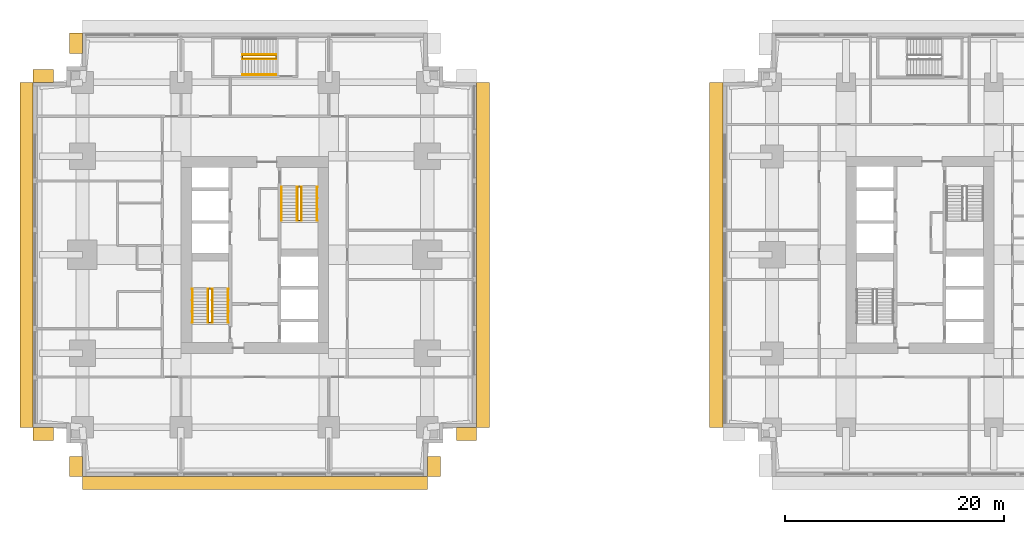
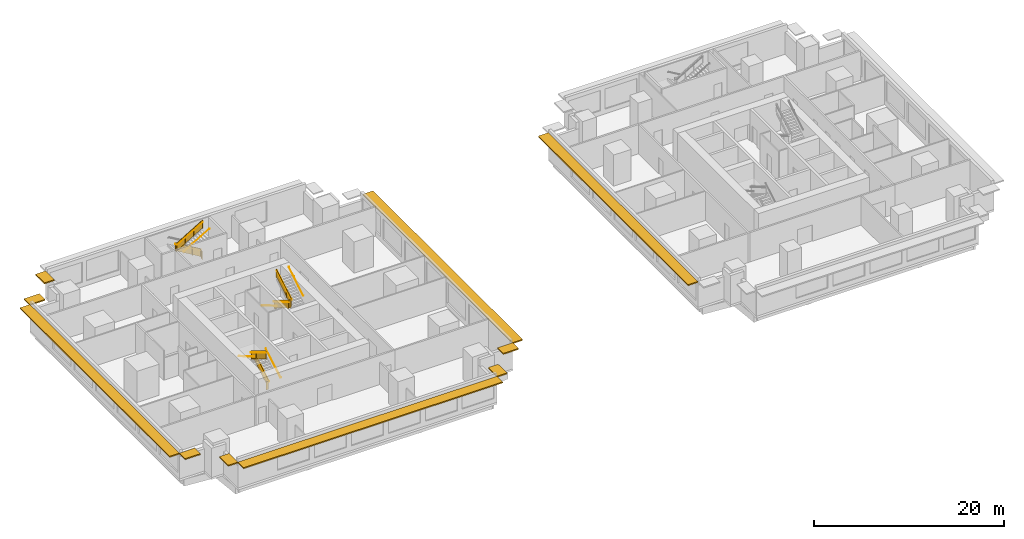
# One storey, part 9 of 11: 14 railings, 10 shading devices.
"""IFC4 building model written with IfcOpenShell, lengths in metres."""

from ifc_helpers import new_model, si_unit, direction, frame, origin, origin_2d, place, context, subcontext, project, spatial, polyline, rectangle, circle, outline, extrude, material, layer, layer_set, type_object, element, save


model = new_model("IFC4")

# Units and contexts
model_context = context("Model", 3, precision=1e-05, world=origin(), true_north=direction((0.0, 1.0)))
body_context = subcontext(model_context, "Body", "Model", "MODEL_VIEW")
ifc_project = project(units=[si_unit("LENGTHUNIT", "METRE"), si_unit("AREAUNIT", "SQUARE_METRE"), si_unit("VOLUMEUNIT", "CUBIC_METRE"), si_unit("PLANEANGLEUNIT", "RADIAN"), si_unit("MASSUNIT", "GRAM", prefix="KILO")], contexts=[model_context])

# Site, building, storey
site_placement = place(None, origin())
site = spatial("IfcSite", under=ifc_project, at=site_placement, CompositionType="ELEMENT")
building_placement = place(site_placement, origin())
building = spatial("IfcBuilding", under=site, at=building_placement, Name="Namib Vertical Campus", CompositionType="ELEMENT")
storey_placement = place(building_placement, frame((0.0, 0.0, 53.0)))
storey = spatial("IfcBuildingStorey", under=building, at=storey_placement, Name="L12", CompositionType="ELEMENT", Elevation=53.0)

# Railings
ifc_material_1 = material(Name="Steel handrail", Category="steel")
railing_type_1 = type_object("IfcRailingType", Name="Handrail 900", PredefinedType="HANDRAIL", material=ifc_material_1)
railing_1_placement = place(storey_placement, frame((17.800048828125, 14.050048828125, 0.166748046875)))
element("IfcRailing", 1, at=railing_1_placement, inside=storey, type_object=railing_type_1, Name="Handrail HR1 A-S1 L12 1", PredefinedType="HANDRAIL", context=body_context, shape_type="SweptSolid", body=[
    extrude(circle(Radius=0.02392578125, at=origin_2d()), frame((0.0, 0.0, 0.8759765625), z_axis=(0.0, 0.859290745958, 0.51148745235), x_axis=(-1.0, 0.0, 0.0)), (0.0, 0.0, 1.0), 3.584228515625),
    extrude(circle(Radius=0.008056640625, at=origin_2d()), frame((0.0, 0.0, 0.8759765625), z_axis=(1.0, 0.0, 0.0), x_axis=(0.0, 0.0, 1.0)), (0.0, 0.0, 1.0), 0.050048828125),
    extrude(circle(Radius=0.008056640625, at=origin_2d()), frame((0.0, 1.026611328125, 1.48681640625), z_axis=(1.0, 0.0, 0.0), x_axis=(0.0, 0.0, 1.0)), (0.0, 0.0, 1.0), 0.050048828125),
    extrude(circle(Radius=0.008056640625, at=origin_2d()), frame((0.0, 2.05322265625, 2.09814453125), z_axis=(1.0, 0.0, 0.0), x_axis=(0.0, 0.0, 1.0)), (0.0, 0.0, 1.0), 0.050048828125),
    extrude(circle(Radius=0.008056640625, at=origin_2d()), frame((0.0, 3.079833984375, 2.708984375), z_axis=(1.0, 0.0, 0.0), x_axis=(0.0, 0.0, 1.0)), (0.0, 0.0, 1.0), 0.050048828125),
])
railing_2_placement = place(storey_placement, frame((14.550048828125, 17.1298828125, 2.166748046875)))
element("IfcRailing", 2, at=railing_2_placement, inside=storey, type_object=railing_type_1, Name="Handrail HR1 A-S1 L12 2", PredefinedType="HANDRAIL", context=body_context, shape_type="SweptSolid", body=[
    extrude(circle(Radius=0.02392578125, at=origin_2d()), frame((0.0, 0.0, 0.8759765625), z_axis=(0.0, -0.859290745958, 0.51148745235), x_axis=(1.0, 0.0, 0.0)), (0.0, 0.0, 1.0), 3.584228515625),
    extrude(circle(Radius=0.008056640625, at=origin_2d()), frame((0.0, 0.0, 0.8759765625), z_axis=(-1.0, 0.0, 0.0), x_axis=(0.0, 0.0, 1.0)), (0.0, 0.0, 1.0), 0.050048828125),
    extrude(circle(Radius=0.008056640625, at=origin_2d()), frame((0.0, -1.026611328125, 1.48681640625), z_axis=(-1.0, 0.0, 0.0), x_axis=(0.0, 0.0, 1.0)), (0.0, 0.0, 1.0), 0.050048828125),
    extrude(circle(Radius=0.008056640625, at=origin_2d()), frame((0.0, -2.05322265625, 2.09814453125), z_axis=(-1.0, 0.0, 0.0), x_axis=(0.0, 0.0, 1.0)), (0.0, 0.0, 1.0), 0.050048828125),
    extrude(circle(Radius=0.008056640625, at=origin_2d()), frame((0.0, -3.079833984375, 2.708984375), z_axis=(-1.0, 0.0, 0.0), x_axis=(0.0, 0.0, 1.0)), (0.0, 0.0, 1.0), 0.050048828125),
])
railing_3_placement = place(storey_placement, frame((16.375, 14.050048828125, 0.166748046875)))
element("IfcRailing", 3, at=railing_3_placement, inside=storey, type_object=railing_type_1, Name="Handrail HR1 A-S1 L12 1 at the well", PredefinedType="HANDRAIL", context=body_context, shape_type="SweptSolid", body=[
    extrude(circle(Radius=0.02392578125, at=origin_2d()), frame((0.0, 0.0, 0.8759765625), z_axis=(0.0, 0.859290745958, 0.51148745235), x_axis=(-1.0, 0.0, 0.0)), (0.0, 0.0, 1.0), 3.584228515625),
    extrude(circle(Radius=0.008056640625, at=origin_2d()), frame((0.0, 0.0, 0.8759765625), z_axis=(-1.0, 0.0, 0.0), x_axis=(0.0, 0.0, 1.0)), (0.0, 0.0, 1.0), 0.0400390625),
    extrude(circle(Radius=0.008056640625, at=origin_2d()), frame((0.0, 1.026611328125, 1.48681640625), z_axis=(-1.0, 0.0, 0.0), x_axis=(0.0, 0.0, 1.0)), (0.0, 0.0, 1.0), 0.0400390625),
    extrude(circle(Radius=0.008056640625, at=origin_2d()), frame((0.0, 2.05322265625, 2.09814453125), z_axis=(-1.0, 0.0, 0.0), x_axis=(0.0, 0.0, 1.0)), (0.0, 0.0, 1.0), 0.0400390625),
    extrude(circle(Radius=0.008056640625, at=origin_2d()), frame((0.0, 3.079833984375, 2.708984375), z_axis=(-1.0, 0.0, 0.0), x_axis=(0.0, 0.0, 1.0)), (0.0, 0.0, 1.0), 0.0400390625),
])
railing_4_placement = place(storey_placement, frame((15.97509765625, 17.1298828125, 2.166748046875)))
element("IfcRailing", 4, at=railing_4_placement, inside=storey, type_object=railing_type_1, Name="Handrail HR1 A-S1 L12 2 at the well", PredefinedType="HANDRAIL", context=body_context, shape_type="SweptSolid", body=[
    extrude(circle(Radius=0.02392578125, at=origin_2d()), frame((0.0, 0.0, 0.8759765625), z_axis=(0.0, -0.859290745958, 0.51148745235), x_axis=(1.0, 0.0, 0.0)), (0.0, 0.0, 1.0), 3.584228515625),
    extrude(circle(Radius=0.008056640625, at=origin_2d()), frame((0.0, 0.0, 0.8759765625), z_axis=(1.0, 0.0, 0.0), x_axis=(0.0, 0.0, 1.0)), (0.0, 0.0, 1.0), 0.0400390625),
    extrude(circle(Radius=0.008056640625, at=origin_2d()), frame((0.0, -1.026611328125, 1.48681640625), z_axis=(1.0, 0.0, 0.0), x_axis=(0.0, 0.0, 1.0)), (0.0, 0.0, 1.0), 0.0400390625),
    extrude(circle(Radius=0.008056640625, at=origin_2d()), frame((0.0, -2.05322265625, 2.09814453125), z_axis=(1.0, 0.0, 0.0), x_axis=(0.0, 0.0, 1.0)), (0.0, 0.0, 1.0), 0.0400390625),
    extrude(circle(Radius=0.008056640625, at=origin_2d()), frame((0.0, -3.079833984375, 2.708984375), z_axis=(1.0, 0.0, 0.0), x_axis=(0.0, 0.0, 1.0)), (0.0, 0.0, 1.0), 0.0400390625),
])
railing_5_placement = place(storey_placement, frame((22.699951171875, 26.449951171875, 0.166748046875)))
element("IfcRailing", 5, at=railing_5_placement, inside=storey, type_object=railing_type_1, Name="Handrail HR1 A-S2 L12 1", PredefinedType="HANDRAIL", context=body_context, shape_type="SweptSolid", body=[
    extrude(circle(Radius=0.02392578125, at=origin_2d()), frame((0.0, 0.0, 0.8759765625), z_axis=(0.0, -0.859290745958, 0.51148745235), x_axis=(1.0, 0.0, 0.0)), (0.0, 0.0, 1.0), 3.584228515625),
    extrude(circle(Radius=0.008056640625, at=origin_2d()), frame((0.0, 0.0, 0.8759765625), z_axis=(-1.0, 0.0, 0.0), x_axis=(0.0, 0.0, 1.0)), (0.0, 0.0, 1.0), 0.050048828125),
    extrude(circle(Radius=0.008056640625, at=origin_2d()), frame((0.0, -1.026611328125, 1.48681640625), z_axis=(-1.0, 0.0, 0.0), x_axis=(0.0, 0.0, 1.0)), (0.0, 0.0, 1.0), 0.050048828125),
    extrude(circle(Radius=0.008056640625, at=origin_2d()), frame((0.0, -2.05322265625, 2.09814453125), z_axis=(-1.0, 0.0, 0.0), x_axis=(0.0, 0.0, 1.0)), (0.0, 0.0, 1.0), 0.050048828125),
    extrude(circle(Radius=0.008056640625, at=origin_2d()), frame((0.0, -3.079833984375, 2.708984375), z_axis=(-1.0, 0.0, 0.0), x_axis=(0.0, 0.0, 1.0)), (0.0, 0.0, 1.0), 0.050048828125),
])
railing_6_placement = place(storey_placement, frame((25.949951171875, 23.3701171875, 2.166748046875)))
element("IfcRailing", 6, at=railing_6_placement, inside=storey, type_object=railing_type_1, Name="Handrail HR1 A-S2 L12 2", PredefinedType="HANDRAIL", context=body_context, shape_type="SweptSolid", body=[
    extrude(circle(Radius=0.02392578125, at=origin_2d()), frame((0.0, 0.0, 0.8759765625), z_axis=(0.0, 0.859290745958, 0.51148745235), x_axis=(-1.0, 0.0, 0.0)), (0.0, 0.0, 1.0), 3.584228515625),
    extrude(circle(Radius=0.008056640625, at=origin_2d()), frame((0.0, 0.0, 0.8759765625), z_axis=(1.0, 0.0, 0.0), x_axis=(0.0, 0.0, 1.0)), (0.0, 0.0, 1.0), 0.050048828125),
    extrude(circle(Radius=0.008056640625, at=origin_2d()), frame((0.0, 1.026611328125, 1.48681640625), z_axis=(1.0, 0.0, 0.0), x_axis=(0.0, 0.0, 1.0)), (0.0, 0.0, 1.0), 0.050048828125),
    extrude(circle(Radius=0.008056640625, at=origin_2d()), frame((0.0, 2.05322265625, 2.09814453125), z_axis=(1.0, 0.0, 0.0), x_axis=(0.0, 0.0, 1.0)), (0.0, 0.0, 1.0), 0.050048828125),
    extrude(circle(Radius=0.008056640625, at=origin_2d()), frame((0.0, 3.079833984375, 2.708984375), z_axis=(1.0, 0.0, 0.0), x_axis=(0.0, 0.0, 1.0)), (0.0, 0.0, 1.0), 0.050048828125),
])
railing_7_placement = place(storey_placement, frame((24.125, 26.449951171875, 0.166748046875)))
element("IfcRailing", 7, at=railing_7_placement, inside=storey, type_object=railing_type_1, Name="Handrail HR1 A-S2 L12 1 at the well", PredefinedType="HANDRAIL", context=body_context, shape_type="SweptSolid", body=[
    extrude(circle(Radius=0.02392578125, at=origin_2d()), frame((0.0, 0.0, 0.8759765625), z_axis=(0.0, -0.859290745958, 0.51148745235), x_axis=(1.0, 0.0, 0.0)), (0.0, 0.0, 1.0), 3.584228515625),
    extrude(circle(Radius=0.008056640625, at=origin_2d()), frame((0.0, 0.0, 0.8759765625), z_axis=(1.0, 0.0, 0.0), x_axis=(0.0, 0.0, 1.0)), (0.0, 0.0, 1.0), 0.0400390625),
    extrude(circle(Radius=0.008056640625, at=origin_2d()), frame((0.0, -1.026611328125, 1.48681640625), z_axis=(1.0, 0.0, 0.0), x_axis=(0.0, 0.0, 1.0)), (0.0, 0.0, 1.0), 0.0400390625),
    extrude(circle(Radius=0.008056640625, at=origin_2d()), frame((0.0, -2.05322265625, 2.09814453125), z_axis=(1.0, 0.0, 0.0), x_axis=(0.0, 0.0, 1.0)), (0.0, 0.0, 1.0), 0.0400390625),
    extrude(circle(Radius=0.008056640625, at=origin_2d()), frame((0.0, -3.079833984375, 2.708984375), z_axis=(1.0, 0.0, 0.0), x_axis=(0.0, 0.0, 1.0)), (0.0, 0.0, 1.0), 0.0400390625),
])
railing_8_placement = place(storey_placement, frame((24.52490234375, 23.3701171875, 2.166748046875)))
element("IfcRailing", 8, at=railing_8_placement, inside=storey, type_object=railing_type_1, Name="Handrail HR1 A-S2 L12 2 at the well", PredefinedType="HANDRAIL", context=body_context, shape_type="SweptSolid", body=[
    extrude(circle(Radius=0.02392578125, at=origin_2d()), frame((0.0, 0.0, 0.8759765625), z_axis=(0.0, 0.859290745958, 0.51148745235), x_axis=(-1.0, 0.0, 0.0)), (0.0, 0.0, 1.0), 3.584228515625),
    extrude(circle(Radius=0.008056640625, at=origin_2d()), frame((0.0, 0.0, 0.8759765625), z_axis=(-1.0, 0.0, 0.0), x_axis=(0.0, 0.0, 1.0)), (0.0, 0.0, 1.0), 0.0400390625),
    extrude(circle(Radius=0.008056640625, at=origin_2d()), frame((0.0, 1.026611328125, 1.48681640625), z_axis=(-1.0, 0.0, 0.0), x_axis=(0.0, 0.0, 1.0)), (0.0, 0.0, 1.0), 0.0400390625),
    extrude(circle(Radius=0.008056640625, at=origin_2d()), frame((0.0, 2.05322265625, 2.09814453125), z_axis=(-1.0, 0.0, 0.0), x_axis=(0.0, 0.0, 1.0)), (0.0, 0.0, 1.0), 0.0400390625),
    extrude(circle(Radius=0.008056640625, at=origin_2d()), frame((0.0, 3.079833984375, 2.708984375), z_axis=(-1.0, 0.0, 0.0), x_axis=(0.0, 0.0, 1.0)), (0.0, 0.0, 1.0), 0.0400390625),
])
railing_9_placement = place(storey_placement, frame((19.1201171875, 36.699951171875, 2.166748046875)))
element("IfcRailing", 9, at=railing_9_placement, inside=storey, type_object=railing_type_1, Name="Handrail HR1 A-S3 L12 2", PredefinedType="HANDRAIL", context=body_context, shape_type="SweptSolid", body=[
    extrude(circle(Radius=0.02392578125, at=origin_2d()), frame((0.0, 0.0, 0.8759765625), z_axis=(0.859290745958, 0.0, 0.51148745235), x_axis=(0.0, 1.0, 0.0)), (0.0, 0.0, 1.0), 3.584228515625),
    extrude(circle(Radius=0.008056640625, at=origin_2d()), frame((0.0, 0.0, 0.8759765625), z_axis=(0.0, -1.0, 0.0), x_axis=(0.0, 0.0, 1.0)), (0.0, 0.0, 1.0), 0.050048828125),
    extrude(circle(Radius=0.008056640625, at=origin_2d()), frame((1.026611328125, 0.0, 1.48681640625), z_axis=(0.0, -1.0, 0.0), x_axis=(0.0, 0.0, 1.0)), (0.0, 0.0, 1.0), 0.050048828125),
    extrude(circle(Radius=0.008056640625, at=origin_2d()), frame((2.05322265625, 0.0, 2.09814453125), z_axis=(0.0, -1.0, 0.0), x_axis=(0.0, 0.0, 1.0)), (0.0, 0.0, 1.0), 0.050048828125),
    extrude(circle(Radius=0.008056640625, at=origin_2d()), frame((3.079833984375, 0.0, 2.708984375), z_axis=(0.0, -1.0, 0.0), x_axis=(0.0, 0.0, 1.0)), (0.0, 0.0, 1.0), 0.050048828125),
])
railing_10_placement = place(storey_placement, frame((22.199951171875, 38.52490234375, 0.166748046875)))
element("IfcRailing", 10, at=railing_10_placement, inside=storey, type_object=railing_type_1, Name="Handrail HR1 A-S3 L12 1 at the well", PredefinedType="HANDRAIL", context=body_context, shape_type="SweptSolid", body=[
    extrude(circle(Radius=0.02392578125, at=origin_2d()), frame((0.0, 0.0, 0.8759765625), z_axis=(-0.859290745958, 0.0, 0.51148745235), x_axis=(0.0, -1.0, 0.0)), (0.0, 0.0, 1.0), 3.584228515625),
    extrude(circle(Radius=0.008056640625, at=origin_2d()), frame((0.0, 0.0, 0.8759765625), z_axis=(0.0, -1.0, 0.0), x_axis=(0.0, 0.0, 1.0)), (0.0, 0.0, 1.0), 0.0400390625),
    extrude(circle(Radius=0.008056640625, at=origin_2d()), frame((-1.026611328125, 0.0, 1.48681640625), z_axis=(0.0, -1.0, 0.0), x_axis=(0.0, 0.0, 1.0)), (0.0, 0.0, 1.0), 0.0400390625),
    extrude(circle(Radius=0.008056640625, at=origin_2d()), frame((-2.05322265625, 0.0, 2.09814453125), z_axis=(0.0, -1.0, 0.0), x_axis=(0.0, 0.0, 1.0)), (0.0, 0.0, 1.0), 0.0400390625),
    extrude(circle(Radius=0.008056640625, at=origin_2d()), frame((-3.079833984375, 0.0, 2.708984375), z_axis=(0.0, -1.0, 0.0), x_axis=(0.0, 0.0, 1.0)), (0.0, 0.0, 1.0), 0.0400390625),
])
railing_11_placement = place(storey_placement, frame((19.1201171875, 38.125, 2.166748046875)))
element("IfcRailing", 11, at=railing_11_placement, inside=storey, type_object=railing_type_1, Name="Handrail HR1 A-S3 L12 2 at the well", PredefinedType="HANDRAIL", context=body_context, shape_type="SweptSolid", body=[
    extrude(circle(Radius=0.02392578125, at=origin_2d()), frame((0.0, 0.0, 0.8759765625), z_axis=(0.859290745958, 0.0, 0.51148745235), x_axis=(0.0, 1.0, 0.0)), (0.0, 0.0, 1.0), 3.584228515625),
    extrude(circle(Radius=0.008056640625, at=origin_2d()), frame((0.0, 0.0, 0.8759765625), z_axis=(0.0, 1.0, 0.0), x_axis=(0.0, 0.0, 1.0)), (0.0, 0.0, 1.0), 0.0400390625),
    extrude(circle(Radius=0.008056640625, at=origin_2d()), frame((1.026611328125, 0.0, 1.48681640625), z_axis=(0.0, 1.0, 0.0), x_axis=(0.0, 0.0, 1.0)), (0.0, 0.0, 1.0), 0.0400390625),
    extrude(circle(Radius=0.008056640625, at=origin_2d()), frame((2.05322265625, 0.0, 2.09814453125), z_axis=(0.0, 1.0, 0.0), x_axis=(0.0, 0.0, 1.0)), (0.0, 0.0, 1.0), 0.0400390625),
    extrude(circle(Radius=0.008056640625, at=origin_2d()), frame((3.079833984375, 0.0, 2.708984375), z_axis=(0.0, 1.0, 0.0), x_axis=(0.0, 0.0, 1.0)), (0.0, 0.0, 1.0), 0.0400390625),
])
ifc_material_2 = material(Name="Steel balustrade", Category="steel")
railing_type_2 = type_object("IfcRailingType", Name="Stair guard 1100", PredefinedType="GUARDRAIL", material=ifc_material_2)
railing_12_placement = place(storey_placement, frame((16.02490234375, 14.050048828125, 0.0)))
element("IfcRailing", 12, at=railing_12_placement, inside=storey, type_object=railing_type_2, Name="Stair guard GR1 A-S1 L12", PredefinedType="GUARDRAIL", context=body_context, shape_type="SweptSolid", body=[
    extrude(circle(Radius=0.02392578125, at=origin_2d()), frame((0.0, 0.0, 1.076171875), z_axis=(1.0, 0.0, 0.0), x_axis=(0.0, 1.0, 0.0)), (0.0, 0.0, 1.0), 0.300048828125),
    extrude(outline(polyline([(0.02099609375, 0.050048828125), (0.279052734375, 0.050048828125), (0.279052734375, 1.052001953125), (0.02099609375, 1.052001953125), (0.02099609375, 0.050048828125)])), frame((0.0, 0.010009765625, 0.0), z_axis=(0.0, -1.0, 0.0), x_axis=(1.0, 0.0, 0.0)), (0.0, 0.0, 1.0), 0.02001953125),
    extrude(circle(Radius=0.02392578125, at=origin_2d()), frame((0.300048828125, 0.0, 1.076171875), z_axis=(0.0, 0.0, 1.0), x_axis=(1.0, 0.0, 0.0)), (0.0, 0.0, 1.0), 0.166748046875),
    extrude(circle(Radius=0.02392578125, at=origin_2d()), frame((0.300048828125, 0.0, 1.24267578125), z_axis=(0.0, 0.859290745958, 0.51148745235), x_axis=(-1.0, 0.0, 0.0)), (0.0, 0.0, 1.0), 3.584228515625),
    extrude(outline(polyline([(0.02099609375, 0.0625), (3.058837890625, 1.870849609375), (3.058837890625, 2.872802734375), (0.02099609375, 1.064453125), (0.02099609375, 0.0625)])), frame((0.2900390625, 0.0, 0.166748046875), z_axis=(1.0, 0.0, 0.0), x_axis=(0.0, 1.0, 0.0)), (0.0, 0.0, 1.0), 0.02001953125),
    extrude(circle(Radius=0.02392578125, at=origin_2d()), frame((0.300048828125, 3.079833984375, 3.076171875), z_axis=(-1.0, 0.0, 0.0), x_axis=(0.0, -1.0, 0.0)), (0.0, 0.0, 1.0), 0.300048828125),
    extrude(outline(polyline([(0.02099609375, 0.050048828125), (0.279052734375, 0.050048828125), (0.279052734375, 1.052001953125), (0.02099609375, 1.052001953125), (0.02099609375, 0.050048828125)])), frame((0.300048828125, 3.06982421875, 2.0), z_axis=(0.0, 1.0, 0.0), x_axis=(-1.0, 0.0, 0.0)), (0.0, 0.0, 1.0), 0.02001953125),
    extrude(circle(Radius=0.02392578125, at=origin_2d()), frame((0.0, 3.079833984375, 3.076171875), z_axis=(0.0, 0.0, 1.0), x_axis=(1.0, 0.0, 0.0)), (0.0, 0.0, 1.0), 0.166748046875),
    extrude(circle(Radius=0.02392578125, at=origin_2d()), frame((0.0, 3.079833984375, 3.24267578125), z_axis=(0.0, -0.859290745958, 0.51148745235), x_axis=(1.0, 0.0, 0.0)), (0.0, 0.0, 1.0), 3.584228515625),
    extrude(outline(polyline([(0.02099609375, 0.0625), (3.058837890625, 1.870849609375), (3.058837890625, 2.872802734375), (0.02099609375, 1.064453125), (0.02099609375, 0.0625)])), frame((0.010009765625, 3.079833984375, 2.166748046875), z_axis=(-1.0, 0.0, 0.0), x_axis=(0.0, -1.0, 0.0)), (0.0, 0.0, 1.0), 0.02001953125),
    extrude(circle(Radius=0.02392578125, at=origin_2d()), frame((0.0, 0.0, 5.076171875), z_axis=(0.0, -1.0, 0.0), x_axis=(1.0, 0.0, 0.0)), (0.0, 0.0, 1.0), 0.050048828125),
    extrude(outline(polyline([(0.02099609375, 0.050048828125), (0.029052734375, 0.050048828125), (0.029052734375, 1.052001953125), (0.02099609375, 1.052001953125), (0.02099609375, 0.050048828125)])), frame((0.010009765625, 0.0, 4.0), z_axis=(-1.0, 0.0, 0.0), x_axis=(0.0, -1.0, 0.0)), (0.0, 0.0, 1.0), 0.02001953125),
    extrude(circle(Radius=0.02099609375, at=origin_2d()), origin(), (0.0, 0.0, 1.0), 1.052001953125),
    extrude(circle(Radius=0.02099609375, at=origin_2d()), frame((0.300048828125, 0.0, 0.166748046875)), (0.0, 0.0, 1.0), 1.052001953125),
    extrude(circle(Radius=0.02099609375, at=origin_2d()), frame((0.300048828125, 1.026611328125, 0.666748046875)), (0.0, 0.0, 1.0), 1.1630859375),
    extrude(circle(Radius=0.02099609375, at=origin_2d()), frame((0.300048828125, 2.05322265625, 1.33349609375)), (0.0, 0.0, 1.0), 1.107421875),
    extrude(circle(Radius=0.02099609375, at=origin_2d()), frame((0.300048828125, 3.079833984375, 2.0)), (0.0, 0.0, 1.0), 1.052001953125),
    extrude(circle(Radius=0.02099609375, at=origin_2d()), frame((0.0, 3.079833984375, 2.166748046875)), (0.0, 0.0, 1.0), 1.052001953125),
    extrude(circle(Radius=0.02099609375, at=origin_2d()), frame((0.0, 2.05322265625, 2.666748046875)), (0.0, 0.0, 1.0), 1.1630859375),
    extrude(circle(Radius=0.02099609375, at=origin_2d()), frame((0.0, 1.026611328125, 3.33349609375)), (0.0, 0.0, 1.0), 1.107421875),
    extrude(circle(Radius=0.02099609375, at=origin_2d()), frame((0.0, 0.0, 4.0)), (0.0, 0.0, 1.0), 1.052001953125),
    extrude(circle(Radius=0.02099609375, at=origin_2d()), frame((0.0, -0.050048828125, 4.0)), (0.0, 0.0, 1.0), 1.052001953125),
])
railing_13_placement = place(storey_placement, frame((24.47509765625, 26.449951171875, 0.0)))
element("IfcRailing", 13, at=railing_13_placement, inside=storey, type_object=railing_type_2, Name="Stair guard GR1 A-S2 L12", PredefinedType="GUARDRAIL", context=body_context, shape_type="SweptSolid", body=[
    extrude(circle(Radius=0.02392578125, at=origin_2d()), frame((0.0, 0.0, 1.076171875), z_axis=(-1.0, 0.0, 0.0), x_axis=(0.0, -1.0, 0.0)), (0.0, 0.0, 1.0), 0.300048828125),
    extrude(outline(polyline([(0.02099609375, 0.050048828125), (0.279052734375, 0.050048828125), (0.279052734375, 1.052001953125), (0.02099609375, 1.052001953125), (0.02099609375, 0.050048828125)])), frame((0.0, -0.010009765625, 0.0), z_axis=(0.0, 1.0, 0.0), x_axis=(-1.0, 0.0, 0.0)), (0.0, 0.0, 1.0), 0.02001953125),
    extrude(circle(Radius=0.02392578125, at=origin_2d()), frame((-0.300048828125, 0.0, 1.076171875), z_axis=(0.0, 0.0, 1.0), x_axis=(1.0, 0.0, 0.0)), (0.0, 0.0, 1.0), 0.166748046875),
    extrude(circle(Radius=0.02392578125, at=origin_2d()), frame((-0.300048828125, 0.0, 1.24267578125), z_axis=(0.0, -0.859290745958, 0.51148745235), x_axis=(1.0, 0.0, 0.0)), (0.0, 0.0, 1.0), 3.584228515625),
    extrude(outline(polyline([(0.02099609375, 0.0625), (3.058837890625, 1.870849609375), (3.058837890625, 2.872802734375), (0.02099609375, 1.064453125), (0.02099609375, 0.0625)])), frame((-0.2900390625, 0.0, 0.166748046875), z_axis=(-1.0, 0.0, 0.0), x_axis=(0.0, -1.0, 0.0)), (0.0, 0.0, 1.0), 0.02001953125),
    extrude(circle(Radius=0.02392578125, at=origin_2d()), frame((-0.300048828125, -3.079833984375, 3.076171875), z_axis=(1.0, 0.0, 0.0), x_axis=(0.0, 1.0, 0.0)), (0.0, 0.0, 1.0), 0.300048828125),
    extrude(outline(polyline([(0.02099609375, 0.050048828125), (0.279052734375, 0.050048828125), (0.279052734375, 1.052001953125), (0.02099609375, 1.052001953125), (0.02099609375, 0.050048828125)])), frame((-0.300048828125, -3.06982421875, 2.0), z_axis=(0.0, -1.0, 0.0), x_axis=(1.0, 0.0, 0.0)), (0.0, 0.0, 1.0), 0.02001953125),
    extrude(circle(Radius=0.02392578125, at=origin_2d()), frame((0.0, -3.079833984375, 3.076171875), z_axis=(0.0, 0.0, 1.0), x_axis=(1.0, 0.0, 0.0)), (0.0, 0.0, 1.0), 0.166748046875),
    extrude(circle(Radius=0.02392578125, at=origin_2d()), frame((0.0, -3.079833984375, 3.24267578125), z_axis=(0.0, 0.859290745958, 0.51148745235), x_axis=(-1.0, 0.0, 0.0)), (0.0, 0.0, 1.0), 3.584228515625),
    extrude(outline(polyline([(0.02099609375, 0.0625), (3.058837890625, 1.870849609375), (3.058837890625, 2.872802734375), (0.02099609375, 1.064453125), (0.02099609375, 0.0625)])), frame((-0.010009765625, -3.079833984375, 2.166748046875), z_axis=(1.0, 0.0, 0.0), x_axis=(0.0, 1.0, 0.0)), (0.0, 0.0, 1.0), 0.02001953125),
    extrude(circle(Radius=0.02392578125, at=origin_2d()), frame((0.0, 0.0, 5.076171875), z_axis=(0.0, 1.0, 0.0), x_axis=(-1.0, 0.0, 0.0)), (0.0, 0.0, 1.0), 0.050048828125),
    extrude(outline(polyline([(0.02099609375, 0.050048828125), (0.029052734375, 0.050048828125), (0.029052734375, 1.052001953125), (0.02099609375, 1.052001953125), (0.02099609375, 0.050048828125)])), frame((-0.010009765625, 0.0, 4.0), z_axis=(1.0, 0.0, 0.0), x_axis=(0.0, 1.0, 0.0)), (0.0, 0.0, 1.0), 0.02001953125),
    extrude(circle(Radius=0.02099609375, at=origin_2d()), origin(), (0.0, 0.0, 1.0), 1.052001953125),
    extrude(circle(Radius=0.02099609375, at=origin_2d()), frame((-0.300048828125, 0.0, 0.166748046875)), (0.0, 0.0, 1.0), 1.052001953125),
    extrude(circle(Radius=0.02099609375, at=origin_2d()), frame((-0.300048828125, -1.026611328125, 0.666748046875)), (0.0, 0.0, 1.0), 1.1630859375),
    extrude(circle(Radius=0.02099609375, at=origin_2d()), frame((-0.300048828125, -2.05322265625, 1.33349609375)), (0.0, 0.0, 1.0), 1.107421875),
    extrude(circle(Radius=0.02099609375, at=origin_2d()), frame((-0.300048828125, -3.079833984375, 2.0)), (0.0, 0.0, 1.0), 1.052001953125),
    extrude(circle(Radius=0.02099609375, at=origin_2d()), frame((0.0, -3.079833984375, 2.166748046875)), (0.0, 0.0, 1.0), 1.052001953125),
    extrude(circle(Radius=0.02099609375, at=origin_2d()), frame((0.0, -2.05322265625, 2.666748046875)), (0.0, 0.0, 1.0), 1.1630859375),
    extrude(circle(Radius=0.02099609375, at=origin_2d()), frame((0.0, -1.026611328125, 3.33349609375)), (0.0, 0.0, 1.0), 1.107421875),
    extrude(circle(Radius=0.02099609375, at=origin_2d()), frame((0.0, 0.0, 4.0)), (0.0, 0.0, 1.0), 1.052001953125),
    extrude(circle(Radius=0.02099609375, at=origin_2d()), frame((0.0, 0.050048828125, 4.0)), (0.0, 0.0, 1.0), 1.052001953125),
])
railing_14_placement = place(storey_placement, frame((22.199951171875, 38.175048828125, 0.0)))
element("IfcRailing", 14, at=railing_14_placement, inside=storey, type_object=railing_type_2, Name="Stair guard GR1 A-S3 L12", PredefinedType="GUARDRAIL", context=body_context, shape_type="SweptSolid", body=[
    extrude(circle(Radius=0.02392578125, at=origin_2d()), frame((0.0, 0.0, 1.076171875), z_axis=(0.0, 1.0, 0.0), x_axis=(-1.0, 0.0, 0.0)), (0.0, 0.0, 1.0), 0.300048828125),
    extrude(outline(polyline([(0.02099609375, 0.050048828125), (0.279052734375, 0.050048828125), (0.279052734375, 1.052001953125), (0.02099609375, 1.052001953125), (0.02099609375, 0.050048828125)])), frame((-0.010009765625, 0.0, 0.0), z_axis=(1.0, 0.0, 0.0), x_axis=(0.0, 1.0, 0.0)), (0.0, 0.0, 1.0), 0.02001953125),
    extrude(circle(Radius=0.02392578125, at=origin_2d()), frame((0.0, 0.300048828125, 1.076171875), z_axis=(0.0, 0.0, 1.0), x_axis=(1.0, 0.0, 0.0)), (0.0, 0.0, 1.0), 0.166748046875),
    extrude(circle(Radius=0.02392578125, at=origin_2d()), frame((0.0, 0.300048828125, 1.24267578125), z_axis=(-0.859290745958, 0.0, 0.51148745235), x_axis=(0.0, -1.0, 0.0)), (0.0, 0.0, 1.0), 3.584228515625),
    extrude(outline(polyline([(0.02099609375, 0.0625), (3.058837890625, 1.870849609375), (3.058837890625, 2.872802734375), (0.02099609375, 1.064453125), (0.02099609375, 0.0625)])), frame((0.0, 0.2900390625, 0.166748046875), z_axis=(0.0, 1.0, 0.0), x_axis=(-1.0, 0.0, 0.0)), (0.0, 0.0, 1.0), 0.02001953125),
    extrude(circle(Radius=0.02392578125, at=origin_2d()), frame((-3.079833984375, 0.300048828125, 3.076171875), z_axis=(0.0, -1.0, 0.0), x_axis=(1.0, 0.0, 0.0)), (0.0, 0.0, 1.0), 0.300048828125),
    extrude(outline(polyline([(0.02099609375, 0.050048828125), (0.279052734375, 0.050048828125), (0.279052734375, 1.052001953125), (0.02099609375, 1.052001953125), (0.02099609375, 0.050048828125)])), frame((-3.06982421875, 0.300048828125, 2.0), z_axis=(-1.0, 0.0, 0.0), x_axis=(0.0, -1.0, 0.0)), (0.0, 0.0, 1.0), 0.02001953125),
    extrude(circle(Radius=0.02392578125, at=origin_2d()), frame((-3.079833984375, 0.0, 3.076171875), z_axis=(0.0, 0.0, 1.0), x_axis=(1.0, 0.0, 0.0)), (0.0, 0.0, 1.0), 0.166748046875),
    extrude(circle(Radius=0.02392578125, at=origin_2d()), frame((-3.079833984375, 0.0, 3.24267578125), z_axis=(0.859290745958, 0.0, 0.51148745235), x_axis=(0.0, 1.0, 0.0)), (0.0, 0.0, 1.0), 3.584228515625),
    extrude(outline(polyline([(0.02099609375, 0.0625), (3.058837890625, 1.870849609375), (3.058837890625, 2.872802734375), (0.02099609375, 1.064453125), (0.02099609375, 0.0625)])), frame((-3.079833984375, 0.010009765625, 2.166748046875), z_axis=(0.0, -1.0, 0.0), x_axis=(1.0, 0.0, 0.0)), (0.0, 0.0, 1.0), 0.02001953125),
    extrude(circle(Radius=0.02392578125, at=origin_2d()), frame((0.0, 0.0, 5.076171875), z_axis=(1.0, 0.0, 0.0), x_axis=(0.0, 1.0, 0.0)), (0.0, 0.0, 1.0), 0.050048828125),
    extrude(outline(polyline([(0.02099609375, 0.050048828125), (0.029052734375, 0.050048828125), (0.029052734375, 1.052001953125), (0.02099609375, 1.052001953125), (0.02099609375, 0.050048828125)])), frame((0.0, 0.010009765625, 4.0), z_axis=(0.0, -1.0, 0.0), x_axis=(1.0, 0.0, 0.0)), (0.0, 0.0, 1.0), 0.02001953125),
    extrude(circle(Radius=0.02099609375, at=origin_2d()), origin(), (0.0, 0.0, 1.0), 1.052001953125),
    extrude(circle(Radius=0.02099609375, at=origin_2d()), frame((0.0, 0.300048828125, 0.166748046875)), (0.0, 0.0, 1.0), 1.052001953125),
    extrude(circle(Radius=0.02099609375, at=origin_2d()), frame((-1.026611328125, 0.300048828125, 0.666748046875)), (0.0, 0.0, 1.0), 1.1630859375),
    extrude(circle(Radius=0.02099609375, at=origin_2d()), frame((-2.05322265625, 0.300048828125, 1.33349609375)), (0.0, 0.0, 1.0), 1.107421875),
    extrude(circle(Radius=0.02099609375, at=origin_2d()), frame((-3.079833984375, 0.300048828125, 2.0)), (0.0, 0.0, 1.0), 1.052001953125),
    extrude(circle(Radius=0.02099609375, at=origin_2d()), frame((-3.079833984375, 0.0, 2.166748046875)), (0.0, 0.0, 1.0), 1.052001953125),
    extrude(circle(Radius=0.02099609375, at=origin_2d()), frame((-2.05322265625, 0.0, 2.666748046875)), (0.0, 0.0, 1.0), 1.1630859375),
    extrude(circle(Radius=0.02099609375, at=origin_2d()), frame((-1.026611328125, 0.0, 3.33349609375)), (0.0, 0.0, 1.0), 1.107421875),
    extrude(circle(Radius=0.02099609375, at=origin_2d()), frame((0.0, 0.0, 4.0)), (0.0, 0.0, 1.0), 1.052001953125),
    extrude(circle(Radius=0.02099609375, at=origin_2d()), frame((0.050048828125, 0.0, 4.0)), (0.0, 0.0, 1.0), 1.052001953125),
])

# Shading devices
ifc_material_3 = material(Name="Concrete C40/50 precast", Category="concrete")
ifc_layer = layer(ifc_material_3, 0.14990234375)
ifc_layer_set = layer_set([ifc_layer], Name="Concrete C40/50 precast")
shading_device_type = type_object("IfcShadingDeviceType", Name="Sunshade hood 1200", PredefinedType="SHUTTER", material=ifc_layer_set)
shading_device_1_placement = place(storey_placement, frame((20.25, -0.60009765625, 3.199951171875), z_axis=(0.0, 0.0, 1.0), x_axis=(1.0, 0.0, 0.0)))
element("IfcShadingDevice", 15, at=shading_device_1_placement, inside=storey, type_object=shading_device_type, Name="Sunshade SH2 L12 1", PredefinedType="SHUTTER", context=body_context, shape_type="SweptSolid", body=[
    extrude(rectangle(XDim=31.5, YDim=1.199951171875, at=origin_2d()), origin(), (0.0, 0.0, 1.0), 0.14990234375),
])
for number, where, z_axis, x_axis, name in (
    (16, (36.60009765625, 0.925048828125, 3.199951171875), (0.0, 0.0, 1.0), (0.0, 1.0, 0.0), "Sunshade SH2 L12 2"),
    (17, (39.574951171875, 3.89990234375, 3.199951171875), (0.0, 0.0, 1.0), (1.0, 0.0, 0.0), "Sunshade SH2 L12 5"),
):
    element("IfcShadingDevice", number, at=place(storey_placement, frame(where, z_axis=z_axis, x_axis=x_axis)), inside=storey, type_object=shading_device_type, Name=name, PredefinedType="SHUTTER", context=body_context, shape_type="SweptSolid", body=[
        extrude(rectangle(XDim=1.85009765625, YDim=1.199951171875, at=origin_2d()), origin(), (0.0, 0.0, 1.0), 0.14990234375),
    ])
shading_device_2_placement = place(storey_placement, frame((41.10009765625, 20.25, 3.199951171875), z_axis=(0.0, 0.0, 1.0), x_axis=(0.0, 1.0, 0.0)))
element("IfcShadingDevice", 18, at=shading_device_2_placement, inside=storey, type_object=shading_device_type, Name="Sunshade SH2 L12 6", PredefinedType="SHUTTER", context=body_context, shape_type="SweptSolid", body=[
    extrude(rectangle(XDim=31.5, YDim=1.199951171875, at=origin_2d()), origin(), (0.0, 0.0, 1.0), 0.14990234375),
])
for number, where, z_axis, x_axis, name in (
    (19, (3.89990234375, 39.574951171875, 3.199951171875), (0.0, 0.0, 1.0), (0.0, -1.0, 0.0), "Sunshade SH2 L12 12"),
    (20, (0.925048828125, 36.60009765625, 3.199951171875), (0.0, 0.0, 1.0), (-1.0, 0.0, 0.0), "Sunshade SH2 L12 15"),
):
    element("IfcShadingDevice", number, at=place(storey_placement, frame(where, z_axis=z_axis, x_axis=x_axis)), inside=storey, type_object=shading_device_type, Name=name, PredefinedType="SHUTTER", context=body_context, shape_type="SweptSolid", body=[
        extrude(rectangle(XDim=1.85009765625, YDim=1.199951171875, at=origin_2d()), origin(), (0.0, 0.0, 1.0), 0.14990234375),
    ])
shading_device_3_placement = place(storey_placement, frame((-0.60009765625, 20.25, 3.199951171875), z_axis=(0.0, 0.0, 1.0), x_axis=(0.0, -1.0, 0.0)))
element("IfcShadingDevice", 21, at=shading_device_3_placement, inside=storey, type_object=shading_device_type, Name="Sunshade SH2 L12 16", PredefinedType="SHUTTER", context=body_context, shape_type="SweptSolid", body=[
    extrude(rectangle(XDim=31.5, YDim=1.199951171875, at=origin_2d()), origin(), (0.0, 0.0, 1.0), 0.14990234375),
])
for number, where, z_axis, x_axis, name in (
    (22, (0.925048828125, 3.89990234375, 3.199951171875), (0.0, 0.0, 1.0), (1.0, 0.0, 0.0), "Sunshade SH2 L12 17"),
    (23, (3.89990234375, 0.925048828125, 3.199951171875), (0.0, 0.0, 1.0), (0.0, -1.0, 0.0), "Sunshade SH2 L12 20"),
):
    element("IfcShadingDevice", number, at=place(storey_placement, frame(where, z_axis=z_axis, x_axis=x_axis)), inside=storey, type_object=shading_device_type, Name=name, PredefinedType="SHUTTER", context=body_context, shape_type="SweptSolid", body=[
        extrude(rectangle(XDim=1.85009765625, YDim=1.199951171875, at=origin_2d()), origin(), (0.0, 0.0, 1.0), 0.14990234375),
    ])
shading_device_4_placement = place(storey_placement, frame((62.39990234375, 20.25, 3.199951171875), z_axis=(0.0, 0.0, 1.0), x_axis=(0.0, -1.0, 0.0)))
element("IfcShadingDevice", 24, at=shading_device_4_placement, inside=storey, type_object=shading_device_type, Name="Sunshade SH2 L12 16", PredefinedType="SHUTTER", context=body_context, shape_type="SweptSolid", body=[
    extrude(rectangle(XDim=31.5, YDim=1.199951171875, at=origin_2d()), origin(), (0.0, 0.0, 1.0), 0.14990234375),
])

save(model, "model.ifc")
